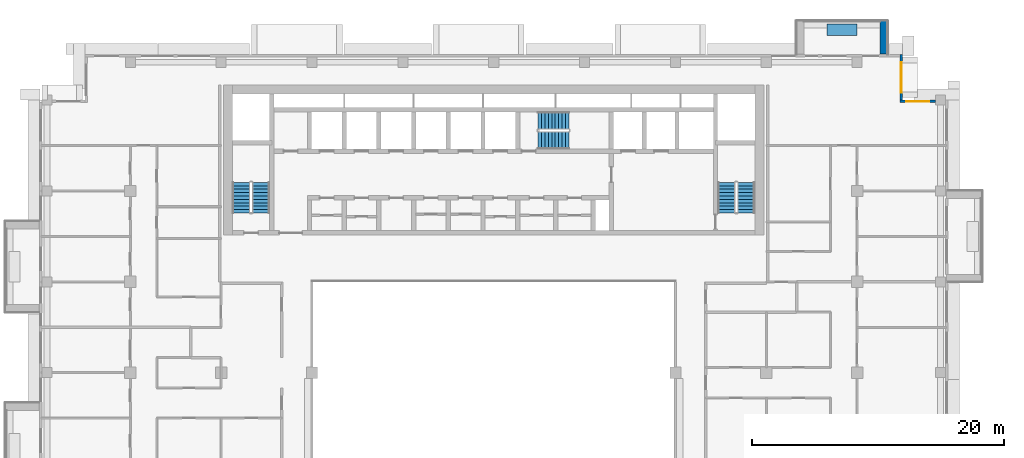
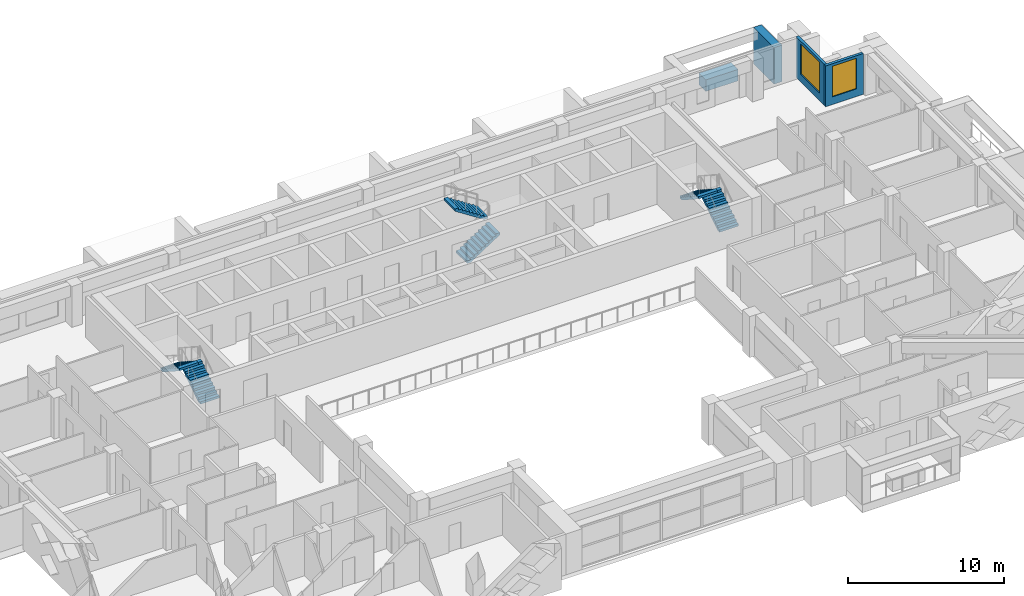
# One storey, part 13 of 20: 6 stair flights, 4 walls, 2 windows, 2 openings, 3 elements without a shape of their own.
"""IFC4 building model written with IfcOpenShell, lengths in metres."""

from ifc_helpers import new_model, si_unit, direction, frame, frame_2d, origin, place, context, subcontext, project, spatial, polyline, rectangle, outline, extrude, material, layer, layer_set, type_object, element, fill, aggregate, save


model = new_model("IFC4")

# Units and contexts
model_context = context("Model", 3, precision=1e-05, world=origin(), true_north=direction((0.0, 1.0)))
body_context = subcontext(model_context, "Body", "Model", "MODEL_VIEW")
ifc_project = project(units=[si_unit("LENGTHUNIT", "METRE"), si_unit("AREAUNIT", "SQUARE_METRE"), si_unit("VOLUMEUNIT", "CUBIC_METRE"), si_unit("PLANEANGLEUNIT", "RADIAN"), si_unit("MASSUNIT", "GRAM", prefix="KILO")], contexts=[model_context])

# Site, building, storey
site_placement = place(None, origin())
site = spatial("IfcSite", under=ifc_project, at=site_placement, CompositionType="ELEMENT")
building_placement = place(site_placement, origin())
building = spatial("IfcBuilding", under=site, at=building_placement, Name="Saffron Iwan Residences", CompositionType="ELEMENT")
storey_placement = place(building_placement, frame((0.0, 0.0, 192.0)))
storey = spatial("IfcBuildingStorey", under=building, at=storey_placement, Name="L51", CompositionType="ELEMENT", Elevation=192.0)

# Walls
ifc_material_1 = material(Name="Concrete C50/60 white painted", Category="concrete")
ifc_layer_1 = layer(ifc_material_1, 0.60009765625)
ifc_layer_set_1 = layer_set([ifc_layer_1], Name="Concrete C50/60 white painted")
wall_type_1 = type_object("IfcWallType", Name="BALCONY FIN 600", PredefinedType="SOLIDWALL", material=ifc_layer_set_1)
wall_1_placement = place(storey_placement, frame((81.300048828125, 80.449951171875, 0.0), z_axis=(0.0, 0.0, 1.0), x_axis=(0.0, 1.0, 0.0)))
element("IfcWall", 1, at=wall_1_placement, inside=storey, type_object=wall_type_1, Name="Balcony fin L51 F5-0a", PredefinedType="SOLIDWALL", context=body_context, shape_type="SweptSolid", body=[
    extrude(rectangle(XDim=2.650146484375, YDim=0.60009765625, at=frame_2d((1.3251953125, 0.0))), origin(), (0.0, 0.0, 1.0), 2.85009765625),
])
ifc_material_2 = material(Name="Concrete C35/45 white painted", Category="concrete")
ifc_layer_2 = layer(ifc_material_2, 0.14990234375)
ifc_layer_set_2 = layer_set([ifc_layer_2], Name="Concrete C35/45 white painted")
wall_type_2 = type_object("IfcWallType", Name="BALCONY PLANTER", PredefinedType="SOLIDWALL", material=ifc_layer_set_2)
wall_2_placement = place(storey_placement, frame((79.199951171875, 82.375, 0.0), z_axis=(0.0, 0.0, 1.0), x_axis=(-1.0, 0.0, 0.0)))
element("IfcWall", 2, at=wall_2_placement, inside=storey, type_object=wall_type_2, Name="PLANTER L51 F5-0", PredefinedType="SOLIDWALL", context=body_context, shape_type="SweptSolid", body=[
    extrude(rectangle(XDim=2.39990234375, YDim=0.89990234375, at=frame_2d((1.199951171875, 0.0))), origin(), (0.0, 0.0, 1.0), 0.89990234375),
])

# Wall, opening, window
ifc_material_3 = material(Name="Concrete C40/50", Category="concrete")
ifc_layer_3 = layer(ifc_material_3, 0.199951171875)
ifc_layer_set_3 = layer_set([ifc_layer_3], Name="Concrete C40/50")
wall_type_3 = type_object("IfcWallType", Name="EXTERNAL WALL 200", PredefinedType="SOLIDWALL", material=ifc_layer_set_3)
wall_3_placement = place(storey_placement, frame((85.39990234375, 76.699951171875, 0.0), z_axis=(0.0, 0.0, 1.0), x_axis=(-1.0, 0.0, 0.0)))
wall_3 = element("IfcWall", 3, at=wall_3_placement, inside=storey, type_object=wall_type_3, Name="External wall L51 F3.0", PredefinedType="SOLIDWALL", context=body_context, shape_type="SweptSolid", body=[
    extrude(rectangle(XDim=2.7998046875, YDim=0.199951171875, at=frame_2d((1.39990234375, 0.0))), origin(), (0.0, 0.0, 1.0), 3.199951171875),
])
opening_1_placement = place(wall_3_placement, frame((0.5, 0.0, 0.60009765625)))
opening_1 = element("IfcOpeningElement", 4, at=opening_1_placement, cuts=wall_3, Name="Opening W8", PredefinedType="OPENING", context=body_context, shape_type="SweptSolid", body=[
    extrude(rectangle(XDim=1.800048828125, YDim=2.39990234375, at=frame_2d((0.89990234375, 1.199951171875))), frame((0.0, 0.10986328125, 0.0), z_axis=(0.0, -1.0, 0.0), x_axis=(1.0, 0.0, 0.0)), (0.0, 0.0, 1.0), 0.219970703125),
])
ifc_material_4 = material(Name="Clear glass, laminated double glazed", Category="glass")
window_type_1 = type_object("IfcWindowType", Name="WINDOW 1800 x 2400", PartitioningType="DOUBLE_PANEL_VERTICAL", PredefinedType="WINDOW", material=ifc_material_4)
window_1_placement = place(opening_1_placement, origin())
window_1 = element("IfcWindow", 5, at=window_1_placement, inside=storey, type_object=window_type_1, Name="Window L51 F3.0", OverallHeight=2.39990234375, OverallWidth=1.800048828125, PartitioningType="DOUBLE_PANEL_VERTICAL", PredefinedType="WINDOW", context=body_context, shape_type="SweptSolid", body=[
    extrude(rectangle(XDim=1.800048828125, YDim=2.39990234375, at=frame_2d((0.89990234375, 1.199951171875))), frame((0.0, 0.030029296875, 0.0), z_axis=(0.0, -1.0, 0.0), x_axis=(1.0, 0.0, 0.0)), (0.0, 0.0, 1.0), 0.06005859375),
])
fill(opening_1, window_1)

wall_4_placement = place(storey_placement, frame((82.699951171875, 76.800048828125, 0.0), z_axis=(0.0, 0.0, 1.0), x_axis=(0.0, 1.0, 0.0)))
wall_4 = element("IfcWall", 6, at=wall_4_placement, inside=storey, type_object=wall_type_3, Name="External wall L51 F4.0", PredefinedType="SOLIDWALL", context=body_context, shape_type="SweptSolid", body=[
    extrude(rectangle(XDim=3.599853515625, YDim=0.199951171875, at=frame_2d((1.7998046875, 0.0))), origin(), (0.0, 0.0, 1.0), 3.199951171875),
])
opening_2_placement = place(wall_4_placement, frame((0.60009765625, 0.0, 0.60009765625)))
opening_2 = element("IfcOpeningElement", 7, at=opening_2_placement, cuts=wall_4, Name="Opening W1", PredefinedType="OPENING", context=body_context, shape_type="SweptSolid", body=[
    extrude(rectangle(XDim=2.39990234375, YDim=2.39990234375, at=frame_2d((1.199951171875, 1.199951171875))), frame((0.0, 0.10986328125, 0.0), z_axis=(0.0, -1.0, 0.0), x_axis=(1.0, 0.0, 0.0)), (0.0, 0.0, 1.0), 0.219970703125),
])
window_type_2 = type_object("IfcWindowType", Name="WINDOW 2400 x 2400", PartitioningType="DOUBLE_PANEL_VERTICAL", PredefinedType="WINDOW", material=ifc_material_4)
window_2_placement = place(opening_2_placement, origin())
window_2 = element("IfcWindow", 8, at=window_2_placement, inside=storey, type_object=window_type_2, Name="Window L51 F4.0", OverallHeight=2.39990234375, OverallWidth=2.39990234375, PartitioningType="DOUBLE_PANEL_VERTICAL", PredefinedType="WINDOW", context=body_context, shape_type="SweptSolid", body=[
    extrude(rectangle(XDim=2.39990234375, YDim=2.39990234375, at=frame_2d((1.199951171875, 1.199951171875))), frame((0.0, 0.030029296875, 0.0), z_axis=(0.0, -1.0, 0.0), x_axis=(1.0, 0.0, 0.0)), (0.0, 0.0, 1.0), 0.06005859375),
])
fill(opening_2, window_2)

# Stair, stair flights
ifc_material_5 = material(Name="Concrete C50/60", Category="concrete")
stair_type = type_object("IfcStairType", Name="Stair ST-CORE", PredefinedType="HALF_TURN_STAIR", material=ifc_material_5)
stair_1_placement = place(storey_placement, origin())
stair_1 = element("IfcStair", 9, at=stair_1_placement, inside=storey, type_object=stair_type, Name="L51 Exit Stair ST-W", PredefinedType="HALF_TURN_STAIR")
ifc_layer_4 = layer(ifc_material_5, 0.14990234375)
ifc_layer_set_4 = layer_set([ifc_layer_4], Name="Concrete C50/60")
stair_flight_type = type_object("IfcStairFlightType", Name="Stair flight SFL-RC", PredefinedType="STRAIGHT", material=ifc_layer_set_4)
stair_flight_1_placement = place(storey_placement, frame((31.949951171875, 67.85009765625, 0.0), z_axis=(0.0, 0.0, 1.0), x_axis=(0.0, 1.0, 0.0)))
stair_flight_1 = element("IfcStairFlight", 10, at=stair_flight_1_placement, type_object=stair_flight_type, Name="ST-W flight 1", NumberOfRisers=10, NumberOfTreads=9, PredefinedType="STRAIGHT", RiserHeight=0.175, TreadLength=0.27, context=body_context, shape_type="SweptSolid", body=[
    extrude(outline(polyline([(0.0, 0.0), (0.0, 0.175048828125), (0.27001953125, 0.175048828125), (0.27001953125, 0.35009765625), (0.5400390625, 0.35009765625), (0.5400390625, 0.52490234375), (0.81005859375, 0.52490234375), (0.81005859375, 0.699951171875), (1.080078125, 0.699951171875), (1.080078125, 0.875), (1.35009765625, 0.875), (1.35009765625, 1.050048828125), (1.6201171875, 1.050048828125), (1.6201171875, 1.22509765625), (1.889892578125, 1.22509765625), (1.889892578125, 1.39990234375), (2.159912109375, 1.39990234375), (2.159912109375, 1.574951171875), (2.429931640625, 1.574951171875), (2.429931640625, 1.75), (2.429931640625, 1.396484375), (0.275634765625, 0.0), (0.0, 0.0)])), frame((0.0, 0.699951171875, 0.0), z_axis=(0.0, -1.0, 0.0), x_axis=(1.0, 0.0, 0.0)), (0.0, 0.0, 1.0), 1.39990234375),
])
stair_flight_2_placement = place(storey_placement, frame((30.39990234375, 70.280029296875, 1.75), z_axis=(0.0, 0.0, 1.0), x_axis=(0.0, -1.0, 0.0)))
stair_flight_2 = element("IfcStairFlight", 11, at=stair_flight_2_placement, type_object=stair_flight_type, Name="ST-W flight 2", NumberOfRisers=10, NumberOfTreads=9, PredefinedType="STRAIGHT", RiserHeight=0.175, TreadLength=0.27, context=body_context, shape_type="SweptSolid", body=[
    extrude(outline(polyline([(0.0, 0.0), (0.0, 0.175048828125), (0.27001953125, 0.175048828125), (0.27001953125, 0.35009765625), (0.5400390625, 0.35009765625), (0.5400390625, 0.52490234375), (0.81005859375, 0.52490234375), (0.81005859375, 0.699951171875), (1.080078125, 0.699951171875), (1.080078125, 0.875), (1.35009765625, 0.875), (1.35009765625, 1.050048828125), (1.6201171875, 1.050048828125), (1.6201171875, 1.22509765625), (1.889892578125, 1.22509765625), (1.889892578125, 1.39990234375), (2.159912109375, 1.39990234375), (2.159912109375, 1.574951171875), (2.429931640625, 1.574951171875), (2.429931640625, 1.75), (2.429931640625, 1.396484375), (0.275634765625, 0.0), (0.0, 0.0)])), frame((0.0, 0.699951171875, 0.0), z_axis=(0.0, -1.0, 0.0), x_axis=(1.0, 0.0, 0.0)), (0.0, 0.0, 1.0), 1.39990234375),
])
aggregate(stair_1, [stair_flight_1, stair_flight_2])

stair_2_placement = place(storey_placement, origin())
stair_2 = element("IfcStair", 12, at=stair_2_placement, inside=storey, type_object=stair_type, Name="L51 Exit Stair ST-C", PredefinedType="HALF_TURN_STAIR")
stair_flight_3_placement = place(storey_placement, frame((53.925048828125, 73.625, 0.0), z_axis=(0.0, 0.0, 1.0), x_axis=(1.0, 0.0, 0.0)))
stair_flight_3 = element("IfcStairFlight", 13, at=stair_flight_3_placement, type_object=stair_flight_type, Name="ST-C flight 1", NumberOfRisers=10, NumberOfTreads=9, PredefinedType="STRAIGHT", RiserHeight=0.175, TreadLength=0.27, context=body_context, shape_type="SweptSolid", body=[
    extrude(outline(polyline([(0.0, 0.0), (0.0, 0.175048828125), (0.27001953125, 0.175048828125), (0.27001953125, 0.35009765625), (0.5400390625, 0.35009765625), (0.5400390625, 0.52490234375), (0.81005859375, 0.52490234375), (0.81005859375, 0.699951171875), (1.080078125, 0.699951171875), (1.080078125, 0.875), (1.35009765625, 0.875), (1.35009765625, 1.050048828125), (1.6201171875, 1.050048828125), (1.6201171875, 1.22509765625), (1.889892578125, 1.22509765625), (1.889892578125, 1.39990234375), (2.159912109375, 1.39990234375), (2.159912109375, 1.574951171875), (2.429931640625, 1.574951171875), (2.429931640625, 1.75), (2.429931640625, 1.396484375), (0.275634765625, 0.0), (0.0, 0.0)])), frame((0.0, 0.699951171875, 0.0), z_axis=(0.0, -1.0, 0.0), x_axis=(1.0, 0.0, 0.0)), (0.0, 0.0, 1.0), 1.39990234375),
])
stair_flight_4_placement = place(storey_placement, frame((56.35498046875, 75.175048828125, 1.75), z_axis=(0.0, 0.0, 1.0), x_axis=(-1.0, 0.0, 0.0)))
stair_flight_4 = element("IfcStairFlight", 14, at=stair_flight_4_placement, type_object=stair_flight_type, Name="ST-C flight 2", NumberOfRisers=10, NumberOfTreads=9, PredefinedType="STRAIGHT", RiserHeight=0.175, TreadLength=0.27, context=body_context, shape_type="SweptSolid", body=[
    extrude(outline(polyline([(0.0, 0.0), (0.0, 0.175048828125), (0.27001953125, 0.175048828125), (0.27001953125, 0.35009765625), (0.5400390625, 0.35009765625), (0.5400390625, 0.52490234375), (0.81005859375, 0.52490234375), (0.81005859375, 0.699951171875), (1.080078125, 0.699951171875), (1.080078125, 0.875), (1.35009765625, 0.875), (1.35009765625, 1.050048828125), (1.6201171875, 1.050048828125), (1.6201171875, 1.22509765625), (1.889892578125, 1.22509765625), (1.889892578125, 1.39990234375), (2.159912109375, 1.39990234375), (2.159912109375, 1.574951171875), (2.429931640625, 1.574951171875), (2.429931640625, 1.75), (2.429931640625, 1.396484375), (0.275634765625, 0.0), (0.0, 0.0)])), frame((0.0, 0.699951171875, 0.0), z_axis=(0.0, -1.0, 0.0), x_axis=(1.0, 0.0, 0.0)), (0.0, 0.0, 1.0), 1.39990234375),
])
aggregate(stair_2, [stair_flight_3, stair_flight_4])

stair_3_placement = place(storey_placement, origin())
stair_3 = element("IfcStair", 15, at=stair_3_placement, inside=storey, type_object=stair_type, Name="L51 Exit Stair ST-E", PredefinedType="HALF_TURN_STAIR")
stair_flight_5_placement = place(storey_placement, frame((70.39990234375, 67.85009765625, 0.0), z_axis=(0.0, 0.0, 1.0), x_axis=(0.0, 1.0, 0.0)))
stair_flight_5 = element("IfcStairFlight", 16, at=stair_flight_5_placement, type_object=stair_flight_type, Name="ST-E flight 1", NumberOfRisers=10, NumberOfTreads=9, PredefinedType="STRAIGHT", RiserHeight=0.175, TreadLength=0.27, context=body_context, shape_type="SweptSolid", body=[
    extrude(outline(polyline([(0.0, 0.0), (0.0, 0.175048828125), (0.27001953125, 0.175048828125), (0.27001953125, 0.35009765625), (0.5400390625, 0.35009765625), (0.5400390625, 0.52490234375), (0.81005859375, 0.52490234375), (0.81005859375, 0.699951171875), (1.080078125, 0.699951171875), (1.080078125, 0.875), (1.35009765625, 0.875), (1.35009765625, 1.050048828125), (1.6201171875, 1.050048828125), (1.6201171875, 1.22509765625), (1.889892578125, 1.22509765625), (1.889892578125, 1.39990234375), (2.159912109375, 1.39990234375), (2.159912109375, 1.574951171875), (2.429931640625, 1.574951171875), (2.429931640625, 1.75), (2.429931640625, 1.396484375), (0.275634765625, 0.0), (0.0, 0.0)])), frame((0.0, 0.699951171875, 0.0), z_axis=(0.0, -1.0, 0.0), x_axis=(1.0, 0.0, 0.0)), (0.0, 0.0, 1.0), 1.39990234375),
])
stair_flight_6_placement = place(storey_placement, frame((68.85009765625, 70.280029296875, 1.75), z_axis=(0.0, 0.0, 1.0), x_axis=(0.0, -1.0, 0.0)))
stair_flight_6 = element("IfcStairFlight", 17, at=stair_flight_6_placement, type_object=stair_flight_type, Name="ST-E flight 2", NumberOfRisers=10, NumberOfTreads=9, PredefinedType="STRAIGHT", RiserHeight=0.175, TreadLength=0.27, context=body_context, shape_type="SweptSolid", body=[
    extrude(outline(polyline([(0.0, 0.0), (0.0, 0.175048828125), (0.27001953125, 0.175048828125), (0.27001953125, 0.35009765625), (0.5400390625, 0.35009765625), (0.5400390625, 0.52490234375), (0.81005859375, 0.52490234375), (0.81005859375, 0.699951171875), (1.080078125, 0.699951171875), (1.080078125, 0.875), (1.35009765625, 0.875), (1.35009765625, 1.050048828125), (1.6201171875, 1.050048828125), (1.6201171875, 1.22509765625), (1.889892578125, 1.22509765625), (1.889892578125, 1.39990234375), (2.159912109375, 1.39990234375), (2.159912109375, 1.574951171875), (2.429931640625, 1.574951171875), (2.429931640625, 1.75), (2.429931640625, 1.396484375), (0.275634765625, 0.0), (0.0, 0.0)])), frame((0.0, 0.699951171875, 0.0), z_axis=(0.0, -1.0, 0.0), x_axis=(1.0, 0.0, 0.0)), (0.0, 0.0, 1.0), 1.39990234375),
])
aggregate(stair_3, [stair_flight_5, stair_flight_6])

save(model, "model.ifc")
